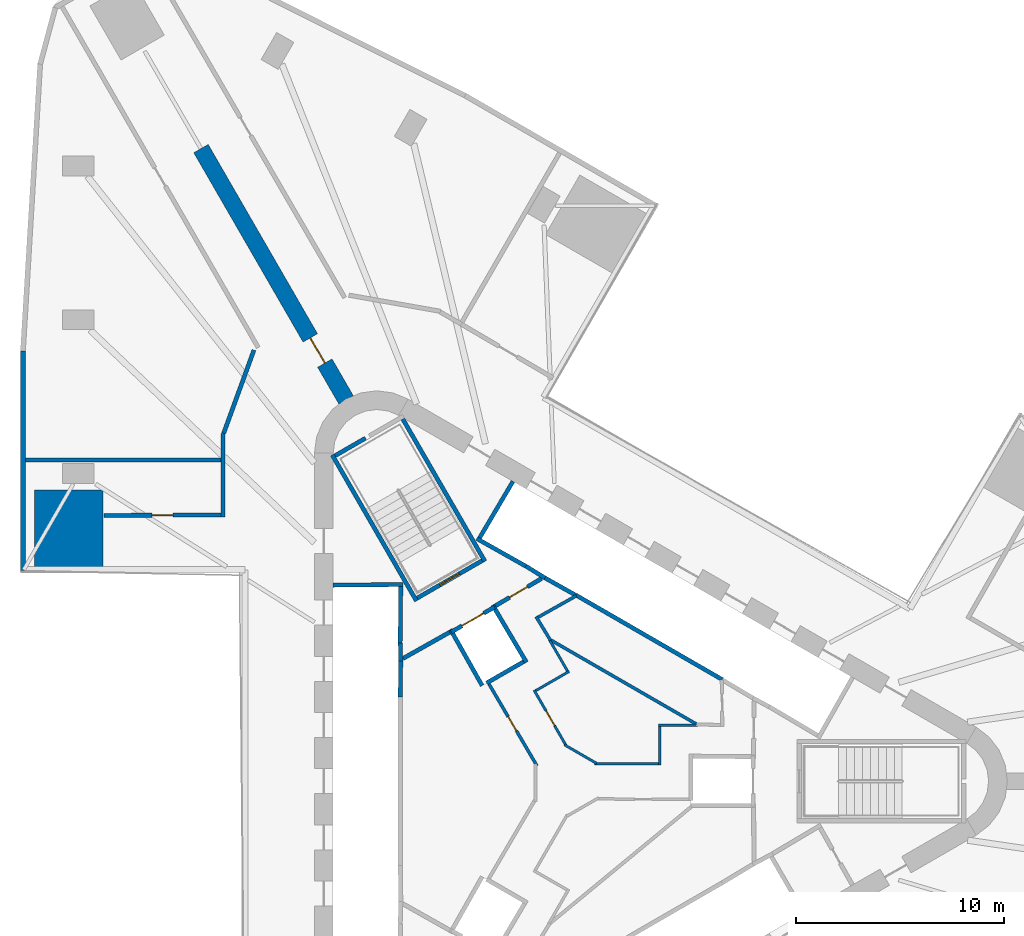
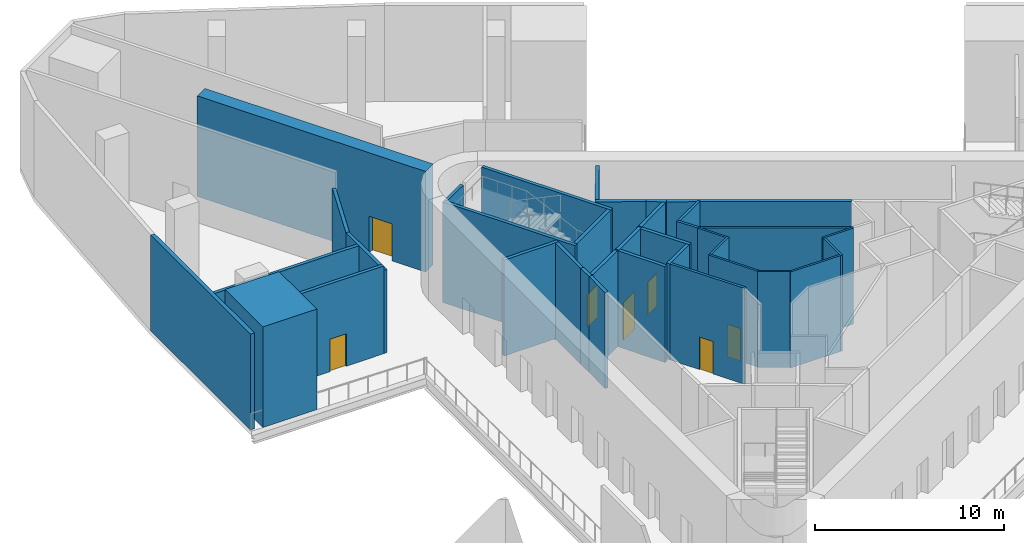
# One storey, part 5 of 11: 37 walls, 7 doors, 7 openings.
"""IFC4 building model written with IfcOpenShell, lengths in metres."""

from ifc_helpers import new_model, si_unit, direction, frame, frame_2d, origin, place, context, subcontext, project, spatial, polyline, rectangle, outline, extrude, material, layer, layer_set, type_object, element, fill, save


model = new_model("IFC4")

# Units and contexts
model_context = context("Model", 3, precision=1e-05, world=origin(), true_north=direction((0.0, 1.0)))
body_context = subcontext(model_context, "Body", "Model", "MODEL_VIEW")
ifc_project = project(units=[si_unit("LENGTHUNIT", "METRE"), si_unit("AREAUNIT", "SQUARE_METRE"), si_unit("VOLUMEUNIT", "CUBIC_METRE"), si_unit("PLANEANGLEUNIT", "RADIAN"), si_unit("MASSUNIT", "GRAM", prefix="KILO")], contexts=[model_context])

# Site, building, storey
site_placement = place(None, origin())
site = spatial("IfcSite", under=ifc_project, at=site_placement, CompositionType="ELEMENT")
building_placement = place(site_placement, origin())
building = spatial("IfcBuilding", under=site, at=building_placement, Name="Tanit Gate Tower", CompositionType="ELEMENT")
storey_placement = place(building_placement, frame((0.0, 0.0, 9.0)))
storey = spatial("IfcBuildingStorey", under=building, at=storey_placement, Name="L01", CompositionType="ELEMENT", Elevation=9.0)

# Wall, opening, door
ifc_material_1 = material(Name="Concrete C60/75", Category="concrete")
ifc_layer_1 = layer(ifc_material_1, 0.800048828125)
ifc_layer_set_1 = layer_set([ifc_layer_1], Name="BUTTRESS FIN 800 C60/75")
wall_type_1 = type_object("IfcWallType", Name="BUTTRESS FIN 800 C60/75", PredefinedType="SHEAR", material=ifc_layer_set_1)
wall_1_placement = place(storey_placement, frame((-10.574951171875, 18.31640625, 0.0), z_axis=(0.0, 0.0, 1.0), x_axis=(-0.499996575515, 0.866027380903, 0.0)))
wall_1 = element("IfcWall", 1, at=wall_1_placement, inside=storey, type_object=wall_type_1, Name="BUTTRESS FIN", PredefinedType="SHEAR", context=body_context, shape_type="SweptSolid", body=[
    extrude(rectangle(XDim=13.9541015625, YDim=0.800048828125, at=frame_2d((6.97705078125, 0.0))), origin(), (0.0, 0.0, 1.0), 6.5),
])
opening_1_placement = place(wall_1_placement, frame((2.050048828125, 0.0, 0.0)))
opening_1 = element("IfcOpeningElement", 2, at=opening_1_placement, cuts=wall_1, Name="Opening P14-01-F-NW-1", PredefinedType="OPENING", context=body_context, shape_type="SweptSolid", body=[
    extrude(rectangle(XDim=1.39990234375, YDim=2.39990234375, at=frame_2d((0.699951171875, 1.199951171875))), frame((0.0, 0.41015625, 0.0), z_axis=(0.0, -1.0, 0.0), x_axis=(1.0, 0.0, 0.0)), (0.0, 0.0, 1.0), 0.820068359375),
])
ifc_material_2 = material(Name="Timber door leaf", Category="wood")
door_type_1 = type_object("IfcDoorType", Name="INT-DOOR-FIN-PAIR-1400", OperationType="NOTDEFINED", PredefinedType="NOTDEFINED", material=ifc_material_2)
door_1_placement = place(opening_1_placement, origin())
door_1 = element("IfcDoor", 3, at=door_1_placement, inside=storey, type_object=door_type_1, Name="Door P14-01-F-NW-1", OperationType="DOUBLE_DOOR_SINGLE_SWING", OverallHeight=2.39990234375, OverallWidth=1.39990234375, PredefinedType="NOTDEFINED", context=body_context, shape_type="SweptSolid", body=[
    extrude(rectangle(XDim=1.39990234375, YDim=2.39990234375, at=frame_2d((0.699951171875, 1.199951171875))), frame((0.0, 0.02490234375, 0.0), z_axis=(0.0, -1.0, 0.0), x_axis=(1.0, 0.0, 0.0)), (0.0, 0.0, 1.0), 0.050048828125),
])
fill(opening_1, door_1)

# Walls
ifc_material_3 = material(Name="Concrete C30/37 with bronze anodised aluminium cladding", Category="concrete")
ifc_layer_2 = layer(ifc_material_3, 0.239990234375)
ifc_layer_set_2 = layer_set([ifc_layer_2], Name="Facade wall bronze clad 240")
wall_type_2 = type_object("IfcWallType", Name="Facade wall bronze clad 240", PredefinedType="SOLIDWALL", material=ifc_layer_set_2)
wall_2_placement = place(storey_placement, frame((-26.10986328125, 20.685302734375, 0.0), z_axis=(0.0, 0.0, 1.0), x_axis=(6.9319284e-05, -0.999999997597, 0.0)))
element("IfcWall", 4, at=wall_2_placement, inside=storey, type_object=wall_type_2, Name="Bronze-clad facade wall L01 W2a", PredefinedType="SOLIDWALL", context=body_context, shape_type="SweptSolid", body=[
    extrude(rectangle(XDim=10.56591796875, YDim=0.239990234375, at=frame_2d((5.282958984375, 0.0))), origin(), (0.0, 0.0, 1.0), 6.199951171875),
])
ifc_material_4 = material(Name="Fire-rated gypsum board partition")
ifc_layer_3 = layer(ifc_material_4, 0.199951171875)
ifc_layer_set_3 = layer_set([ifc_layer_3], Name="INT-WALL-COMPARTMENT")
wall_type_3 = type_object("IfcWallType", Name="INT-WALL-COMPARTMENT", PredefinedType="PARTITIONING", material=ifc_layer_set_3)
wall_3_placement = place(storey_placement, frame((-5.600341796875, 7.16015625, 0.0), z_axis=(0.0, 0.0, 1.0), x_axis=(-0.871340486379, -0.490678873396, 0.0)))
element("IfcWall", 5, at=wall_3_placement, inside=storey, type_object=wall_type_3, Name="Wall Compartment W064", PredefinedType="PARTITIONING", context=body_context, shape_type="SweptSolid", body=[
    extrude(rectangle(XDim=2.580810546875, YDim=0.199951171875, at=frame_2d((1.29052734375, 0.0))), origin(), (0.0, 0.0, 1.0), 6.199951171875),
])

# Wall, opening, door
wall_4_placement = place(storey_placement, frame((-1.179443359375, 9.74462890625, 0.0), z_axis=(0.0, 0.0, 1.0), x_axis=(-0.860598681535, -0.509283721849, 0.0)))
wall_4 = element("IfcWall", 6, at=wall_4_placement, inside=storey, type_object=wall_type_3, Name="Wall Compartment W065", PredefinedType="PARTITIONING", context=body_context, shape_type="SweptSolid", body=[
    extrude(rectangle(XDim=2.5810546875, YDim=0.199951171875, at=frame_2d((1.29052734375, 0.0))), origin(), (0.0, 0.0, 1.0), 6.199951171875),
])
opening_2_placement = place(wall_4_placement, frame((0.79052734375, 0.0, 0.0)))
opening_2 = element("IfcOpeningElement", 7, at=opening_2_placement, cuts=wall_4, Name="Opening F10-01-05", PredefinedType="OPENING", context=body_context, shape_type="SweptSolid", body=[
    extrude(rectangle(XDim=1.0, YDim=2.10009765625, at=frame_2d((0.5, 1.050048828125))), frame((0.0, 0.10986328125, 0.0), z_axis=(0.0, -1.0, 0.0), x_axis=(1.0, 0.0, 0.0)), (0.0, 0.0, 1.0), 0.219970703125),
])
ifc_material_5 = material(Name="Fire-rated steel door leaf", Category="steel")
door_type_2 = type_object("IfcDoorType", Name="INT-DOOR-FIRE-1000", OperationType="NOTDEFINED", PredefinedType="USERDEFINED", material=ifc_material_5)
door_2_placement = place(opening_2_placement, origin())
door_2 = element("IfcDoor", 8, at=door_2_placement, inside=storey, type_object=door_type_2, Name="Door F10-01-05", ObjectType="FIRE DOOR", OperationType="SINGLE_SWING_RIGHT", OverallHeight=2.10009765625, OverallWidth=1.0, PredefinedType="USERDEFINED", context=body_context, shape_type="SweptSolid", body=[
    extrude(rectangle(XDim=1.0, YDim=2.10009765625, at=frame_2d((0.5, 1.050048828125))), frame((0.0, 0.02490234375, 0.0), z_axis=(0.0, -1.0, 0.0), x_axis=(1.0, 0.0, 0.0)), (0.0, 0.0, 1.0), 0.050048828125),
])
fill(opening_2, door_2)

# Walls
wall_5_placement = place(storey_placement, frame((-16.5, 16.716796875, 0.0), z_axis=(0.0, 0.0, 1.0), x_axis=(-0.000303914404, -0.999999953818, 0.0)))
element("IfcWall", 9, at=wall_5_placement, inside=storey, type_object=wall_type_3, Name="Wall Compartment W091", PredefinedType="PARTITIONING", context=body_context, shape_type="SweptSolid", body=[
    extrude(rectangle(XDim=4.0166015625, YDim=0.199951171875, at=frame_2d((2.00830078125, 0.0))), origin(), (0.0, 0.0, 1.0), 5.3798828125),
])
wall_6_placement = place(storey_placement, frame((-15.007080078125, 20.71826171875, 0.0), z_axis=(0.0, 0.0, 1.0), x_axis=(-0.342060209064, -0.939678037083, 0.0)))
element("IfcWall", 10, at=wall_6_placement, inside=storey, type_object=wall_type_3, Name="Wall Compartment W092", PredefinedType="PARTITIONING", context=body_context, shape_type="SweptSolid", body=[
    extrude(rectangle(XDim=4.2646484375, YDim=0.199951171875, at=frame_2d((2.13232421875, 0.0))), origin(), (0.0, 0.0, 1.0), 5.280029296875),
])

# Wall, opening, door
wall_7_placement = place(storey_placement, frame((-16.601318359375, 12.799560546875, 0.0), z_axis=(0.0, 0.0, 1.0), x_axis=(-0.999986096706, -0.005273176924, 0.0)))
wall_7 = element("IfcWall", 11, at=wall_7_placement, inside=storey, type_object=wall_type_3, Name="Wall Compartment W094", PredefinedType="PARTITIONING", context=body_context, shape_type="SweptSolid", body=[
    extrude(rectangle(XDim=5.60205078125, YDim=0.199951171875, at=frame_2d((2.801025390625, 0.0))), origin(), (0.0, 0.0, 1.0), 5.669921875),
])
opening_3_placement = place(wall_7_placement, frame((2.298583984375, 0.0, 0.0)))
opening_3 = element("IfcOpeningElement", 12, at=opening_3_placement, cuts=wall_7, Name="Opening F10-01-17", PredefinedType="OPENING", context=body_context, shape_type="SweptSolid", body=[
    extrude(rectangle(XDim=1.0, YDim=2.10009765625, at=frame_2d((0.5, 1.050048828125))), frame((0.0, 0.10986328125, 0.0), z_axis=(0.0, -1.0, 0.0), x_axis=(1.0, 0.0, 0.0)), (0.0, 0.0, 1.0), 0.219970703125),
])
door_3_placement = place(opening_3_placement, origin())
door_3 = element("IfcDoor", 13, at=door_3_placement, inside=storey, type_object=door_type_2, Name="Door F10-01-17", ObjectType="FIRE DOOR", OperationType="SINGLE_SWING_RIGHT", OverallHeight=2.10009765625, OverallWidth=1.0, PredefinedType="USERDEFINED", context=body_context, shape_type="SweptSolid", body=[
    extrude(rectangle(XDim=1.0, YDim=2.10009765625, at=frame_2d((0.5, 1.050048828125))), frame((0.0, 0.02490234375, 0.0), z_axis=(0.0, -1.0, 0.0), x_axis=(1.0, 0.0, 0.0)), (0.0, 0.0, 1.0), 0.050048828125),
])
fill(opening_3, door_3)

# Walls
wall_8_placement = place(storey_placement, frame((-25.984375, 15.432373046875, 0.0), z_axis=(0.0, 0.0, 1.0), x_axis=(0.999999996954, 7.8047765e-05, 0.0)))
element("IfcWall", 14, at=wall_8_placement, inside=storey, type_object=wall_type_3, Name="Wall Compartment W102", PredefinedType="PARTITIONING", context=body_context, shape_type="SweptSolid", body=[
    extrude(rectangle(XDim=9.38427734375, YDim=0.199951171875, at=frame_2d((4.692138671875, 0.0))), origin(), (0.0, 0.0, 1.0), 5.3798828125),
])
ifc_material_6 = material(Name="Gypsum board partition")
ifc_layer_4 = layer(ifc_material_6, 0.1201171875)
ifc_layer_set_4 = layer_set([ifc_layer_4], Name="INT-WALL-PARTITION")
wall_type_4 = type_object("IfcWallType", Name="INT-WALL-PARTITION", PredefinedType="PARTITIONING", material=ifc_layer_set_4)
wall_9_placement = place(storey_placement, frame((4.43994140625, 2.699951171875, 0.0), z_axis=(0.0, 0.0, 1.0), x_axis=(1.0, 0.0, 0.0)))
element("IfcWall", 15, at=wall_9_placement, inside=storey, type_object=wall_type_4, Name="Wall Partition W084", PredefinedType="PARTITIONING", context=body_context, shape_type="SweptSolid", body=[
    extrude(rectangle(XDim=1.8603515625, YDim=0.1201171875, at=frame_2d((0.93017578125, 0.0))), origin(), (0.0, 0.0, 1.0), 6.199951171875),
])
wall_10_placement = place(storey_placement, frame((4.5, 0.7900390625, 0.0), z_axis=(0.0, 0.0, 1.0), x_axis=(0.0, 1.0, 0.0)))
element("IfcWall", 16, at=wall_10_placement, inside=storey, type_object=wall_type_4, Name="Wall Partition W085", PredefinedType="PARTITIONING", context=body_context, shape_type="SweptSolid", body=[
    extrude(rectangle(XDim=1.849853515625, YDim=0.1201171875, at=frame_2d((0.9248046875, 0.0))), origin(), (0.0, 0.0, 1.0), 6.199951171875),
])
wall_11_placement = place(storey_placement, frame((1.368408203125, 0.85009765625, 0.0), z_axis=(0.0, 0.0, 1.0), x_axis=(1.0, 0.0, 0.0)))
element("IfcWall", 17, at=wall_11_placement, inside=storey, type_object=wall_type_4, Name="Wall Partition W086", PredefinedType="PARTITIONING", context=body_context, shape_type="SweptSolid", body=[
    extrude(rectangle(XDim=3.071533203125, YDim=0.1201171875, at=frame_2d((1.53564453125, 0.0))), origin(), (0.0, 0.0, 1.0), 6.199951171875),
])
wall_12_placement = place(storey_placement, frame((-0.090087890625, 1.751953125, 0.0), z_axis=(0.0, 0.0, 1.0), x_axis=(0.866046676307, -0.4999631531, 0.0)))
element("IfcWall", 18, at=wall_12_placement, inside=storey, type_object=wall_type_4, Name="Wall Partition W087", PredefinedType="PARTITIONING", context=body_context, shape_type="SweptSolid", body=[
    extrude(rectangle(XDim=1.785400390625, YDim=0.1201171875, at=frame_2d((0.892578125, 0.0))), origin(), (0.0, 0.0, 1.0), 6.199951171875),
])

# Wall, opening, door
wall_13_placement = place(storey_placement, frame((-1.5439453125, 4.3740234375, 0.0), z_axis=(0.0, 0.0, 1.0), x_axis=(0.500023124857, -0.86601205223, 0.0)))
wall_13 = element("IfcWall", 19, at=wall_13_placement, inside=storey, type_object=wall_type_4, Name="Wall Partition W088", PredefinedType="PARTITIONING", context=body_context, shape_type="SweptSolid", body=[
    extrude(rectangle(XDim=3.069091796875, YDim=0.1201171875, at=frame_2d((1.53466796875, 0.0))), origin(), (0.0, 0.0, 1.0), 6.199951171875),
])
opening_4_placement = place(wall_13_placement, frame((1.16455078125, 0.0, 0.0)))
opening_4 = element("IfcOpeningElement", 20, at=opening_4_placement, cuts=wall_13, Name="Opening R08-01-14", PredefinedType="OPENING", context=body_context, shape_type="SweptSolid", body=[
    extrude(rectangle(XDim=0.800048828125, YDim=2.10009765625, at=frame_2d((0.39990234375, 1.050048828125))), frame((0.0, 0.070068359375, 0.0), z_axis=(0.0, -1.0, 0.0), x_axis=(1.0, 0.0, 0.0)), (0.0, 0.0, 1.0), 0.14013671875),
])
ifc_material_7 = material(Name="Timber door leaf", Category="wood")
door_type_3 = type_object("IfcDoorType", Name="INT-DOOR-RISER-800", OperationType="NOTDEFINED", PredefinedType="USERDEFINED", material=ifc_material_7)
door_4_placement = place(opening_4_placement, origin())
door_4 = element("IfcDoor", 21, at=door_4_placement, inside=storey, type_object=door_type_3, Name="Door R08-01-14", ObjectType="FIRE DOOR", OperationType="SINGLE_SWING_RIGHT", OverallHeight=2.10009765625, OverallWidth=0.800048828125, PredefinedType="USERDEFINED", context=body_context, shape_type="SweptSolid", body=[
    extrude(rectangle(XDim=0.800048828125, YDim=2.10009765625, at=frame_2d((0.39990234375, 1.050048828125))), frame((0.0, 0.02490234375, 0.0), z_axis=(0.0, -1.0, 0.0), x_axis=(1.0, 0.0, 0.0)), (0.0, 0.0, 1.0), 0.050048828125),
])
fill(opening_4, door_4)

# Walls
wall_14_placement = place(storey_placement, frame((0.14013671875, 5.277099609375, 0.0), z_axis=(0.0, 0.0, 1.0), x_axis=(-0.866000971088, -0.500042316284, 0.0)))
element("IfcWall", 22, at=wall_14_placement, inside=storey, type_object=wall_type_4, Name="Wall Partition W089", PredefinedType="PARTITIONING", context=body_context, shape_type="SweptSolid", body=[
    extrude(rectangle(XDim=1.849853515625, YDim=0.1201171875, at=frame_2d((0.9248046875, 0.0))), origin(), (0.0, 0.0, 1.0), 6.199951171875),
])
wall_15_placement = place(storey_placement, frame((-0.81201171875, 6.806396484375, 0.0), z_axis=(0.0, 0.0, 1.0), x_axis=(0.500046227757, -0.865998712531, 0.0)))
element("IfcWall", 23, at=wall_15_placement, inside=storey, type_object=wall_type_4, Name="Wall Partition W090", PredefinedType="PARTITIONING", context=body_context, shape_type="SweptSolid", body=[
    extrude(rectangle(XDim=1.740478515625, YDim=0.1201171875, at=frame_2d((0.8701171875, 0.0))), origin(), (0.0, 0.0, 1.0), 6.199951171875),
])

# Wall, opening, door
ifc_material_8 = material(Name="Fire-rated gypsum board partition")
ifc_layer_5 = layer(ifc_material_8, 0.14990234375)
ifc_layer_set_5 = layer_set([ifc_layer_5], Name="INT-WALL-RISER")
wall_type_5 = type_object("IfcWallType", Name="INT-WALL-RISER", PredefinedType="PLUMBINGWALL", material=ifc_layer_set_5)
wall_16_placement = place(storey_placement, frame((-1.407470703125, 0.739501953125, 0.0), z_axis=(0.0, 0.0, 1.0), x_axis=(-0.505642484845, 0.862743112125, 0.0)))
wall_16 = element("IfcWall", 24, at=wall_16_placement, inside=storey, type_object=wall_type_5, Name="Wall Riser W068", PredefinedType="PLUMBINGWALL", context=body_context, shape_type="SweptSolid", body=[
    extrude(rectangle(XDim=4.555908203125, YDim=0.14990234375, at=frame_2d((2.27783203125, 0.0))), origin(), (0.0, 0.0, 1.0), 6.199951171875),
])
opening_5_placement = place(wall_16_placement, frame((1.94189453125, 0.0, 0.0)))
opening_5 = element("IfcOpeningElement", 25, at=opening_5_placement, cuts=wall_16, Name="Opening R08-01-10", PredefinedType="OPENING", context=body_context, shape_type="SweptSolid", body=[
    extrude(rectangle(XDim=0.800048828125, YDim=2.10009765625, at=frame_2d((0.39990234375, 1.050048828125))), frame((0.0, 0.0849609375, 0.0), z_axis=(0.0, -1.0, 0.0), x_axis=(1.0, 0.0, 0.0)), (0.0, 0.0, 1.0), 0.169921875),
])
door_5_placement = place(opening_5_placement, origin())
door_5 = element("IfcDoor", 26, at=door_5_placement, inside=storey, type_object=door_type_3, Name="Door R08-01-10", ObjectType="FIRE DOOR", OperationType="SINGLE_SWING_LEFT", OverallHeight=2.10009765625, OverallWidth=0.800048828125, PredefinedType="USERDEFINED", context=body_context, shape_type="SweptSolid", body=[
    extrude(rectangle(XDim=0.800048828125, YDim=2.10009765625, at=frame_2d((0.39990234375, 1.050048828125))), frame((0.0, 0.02490234375, 0.0), z_axis=(0.0, -1.0, 0.0), x_axis=(1.0, 0.0, 0.0)), (0.0, 0.0, 1.0), 0.050048828125),
])
fill(opening_5, door_5)

# Walls
wall_17_placement = place(storey_placement, frame((-0.826904296875, 6.832275390625, 0.0), z_axis=(0.0, 0.0, 1.0), x_axis=(0.866020293397, -0.500008851346, 0.0)))
element("IfcWall", 27, at=wall_17_placement, inside=storey, type_object=wall_type_5, Name="Wall Riser W079", PredefinedType="PLUMBINGWALL", context=body_context, shape_type="SweptSolid", body=[
    extrude(rectangle(XDim=8.264404296875, YDim=0.14990234375, at=frame_2d((4.13232421875, 0.0))), origin(), (0.0, 0.0, 1.0), 6.199951171875),
])
wall_18_placement = place(storey_placement, frame((-1.45068359375, 7.9091796875, 0.0), z_axis=(0.0, 0.0, 1.0), x_axis=(0.520332410011, -0.853963806664, 0.0)))
element("IfcWall", 28, at=wall_18_placement, inside=storey, type_object=wall_type_5, Name="Wall Riser W080", PredefinedType="PLUMBINGWALL", context=body_context, shape_type="SweptSolid", body=[
    extrude(rectangle(XDim=1.325927734375, YDim=0.14990234375, at=frame_2d((0.6630859375, 0.0))), origin(), (0.0, 0.0, 1.0), 6.199951171875),
])
wall_19_placement = place(storey_placement, frame((0.475341796875, 8.9052734375, 0.0), z_axis=(0.0, 0.0, 1.0), x_axis=(-0.871843752163, -0.489784107353, 0.0)))
element("IfcWall", 29, at=wall_19_placement, inside=storey, type_object=wall_type_5, Name="Wall Riser W081", PredefinedType="PLUMBINGWALL", context=body_context, shape_type="SweptSolid", body=[
    extrude(rectangle(XDim=2.089599609375, YDim=0.14990234375, at=frame_2d((1.044921875, 0.0))), origin(), (0.0, 0.0, 1.0), 6.199951171875),
])
ifc_material_9 = material(Name="Gypsum shaft wall system")
ifc_layer_6 = layer(ifc_material_9, 0.199951171875)
ifc_layer_set_6 = layer_set([ifc_layer_6], Name="INT-WALL-SHAFT")
wall_type_6 = type_object("IfcWallType", Name="INT-WALL-SHAFT", PredefinedType="PLUMBINGWALL", material=ifc_layer_set_6)
wall_20_placement = place(storey_placement, frame((-11.199951171875, 9.419921875, 0.0), z_axis=(0.0, 0.0, 1.0), x_axis=(0.999957167047, 0.009255488683, 0.0)))
element("IfcWall", 30, at=wall_20_placement, inside=storey, type_object=wall_type_6, Name="Wall Shaft W001", PredefinedType="PLUMBINGWALL", context=body_context, shape_type="SweptSolid", body=[
    extrude(rectangle(XDim=3.35009765625, YDim=0.199951171875, at=frame_2d((1.675048828125, 0.0))), origin(), (0.0, 0.0, 1.0), 6.199951171875),
])
wall_21_placement = place(storey_placement, frame((-7.951171875, 9.35009765625, 0.0), z_axis=(0.0, 0.0, 1.0), x_axis=(-0.011120469654, -0.999938165666, 0.0)))
element("IfcWall", 31, at=wall_21_placement, inside=storey, type_object=wall_type_6, Name="Wall Shaft W002", PredefinedType="PLUMBINGWALL", context=body_context, shape_type="SweptSolid", body=[
    extrude(rectangle(XDim=2.700439453125, YDim=0.199951171875, at=frame_2d((1.35009765625, 0.0))), origin(), (0.0, 0.0, 1.0), 6.199951171875),
])
wall_22_placement = place(storey_placement, frame((7.497314453125, 4.885986328125, 0.0), z_axis=(0.0, 0.0, 1.0), x_axis=(-0.866030989016, 0.499990325971, 0.0)))
element("IfcWall", 32, at=wall_22_placement, inside=storey, type_object=wall_type_6, Name="Wall Shaft W003", PredefinedType="PLUMBINGWALL", context=body_context, shape_type="SweptSolid", body=[
    extrude(rectangle(XDim=8.099853515625, YDim=0.199951171875, at=frame_2d((4.0498046875, 0.0))), origin(), (0.0, 0.0, 1.0), 6.199951171875),
])
wall_23_placement = place(storey_placement, frame((-7.97705078125, 6.650146484375, 0.0), z_axis=(0.0, 0.0, 1.0), x_axis=(0.030861509705, -0.999523670164, 0.0)))
element("IfcWall", 33, at=wall_23_placement, inside=storey, type_object=wall_type_6, Name="Wall Shaft W004", PredefinedType="PLUMBINGWALL", context=body_context, shape_type="SweptSolid", body=[
    extrude(rectangle(XDim=0.878173828125, YDim=0.199951171875, at=frame_2d((0.43896484375, 0.0))), origin(), (0.0, 0.0, 1.0), 6.199951171875),
])
wall_24_placement = place(storey_placement, frame((-7.948974609375, 5.894287109375, 0.0), z_axis=(0.0, 0.0, 1.0), x_axis=(-0.016809909365, -0.999858703491, 0.0)))
element("IfcWall", 34, at=wall_24_placement, inside=storey, type_object=wall_type_6, Name="Wall Shaft W005", PredefinedType="PLUMBINGWALL", context=body_context, shape_type="SweptSolid", body=[
    extrude(rectangle(XDim=1.844482421875, YDim=0.199951171875, at=frame_2d((0.92236328125, 0.0))), origin(), (0.0, 0.0, 1.0), 6.199951171875),
])
wall_25_placement = place(storey_placement, frame((-1.940673828125, 10.338623046875, 0.0), z_axis=(0.0, 0.0, 1.0), x_axis=(0.850216889117, -0.526432561171, 0.0)))
element("IfcWall", 35, at=wall_25_placement, inside=storey, type_object=wall_type_6, Name="Wall Shaft W019", PredefinedType="PLUMBINGWALL", context=body_context, shape_type="SweptSolid", body=[
    extrude(rectangle(XDim=1.078369140625, YDim=0.199951171875, at=frame_2d((0.5390625, 0.0))), origin(), (0.0, 0.0, 1.0), 6.199951171875),
])
wall_26_placement = place(storey_placement, frame((0.478271484375, 8.928466796875, 0.0), z_axis=(0.0, 0.0, 1.0), x_axis=(-0.871988740738, 0.489525929882, 0.0)))
element("IfcWall", 36, at=wall_26_placement, inside=storey, type_object=wall_type_6, Name="Wall Shaft W020", PredefinedType="PLUMBINGWALL", context=body_context, shape_type="SweptSolid", body=[
    extrude(rectangle(XDim=1.8447265625, YDim=0.199951171875, at=frame_2d((0.92236328125, 0.0))), origin(), (0.0, 0.0, 1.0), 6.199951171875),
])
wall_27_placement = place(storey_placement, frame((-4.296142578125, 11.658935546875, 0.0), z_axis=(0.0, 0.0, 1.0), x_axis=(0.871534483978, -0.490334215854, 0.0)))
element("IfcWall", 37, at=wall_27_placement, inside=storey, type_object=wall_type_6, Name="Wall Shaft W021", PredefinedType="PLUMBINGWALL", context=body_context, shape_type="SweptSolid", body=[
    extrude(rectangle(XDim=2.7001953125, YDim=0.199951171875, at=frame_2d((1.35009765625, 0.0))), origin(), (0.0, 0.0, 1.0), 6.199951171875),
])
wall_28_placement = place(storey_placement, frame((-4.158203125, 11.696044921875, 0.0), z_axis=(0.0, 0.0, 1.0), x_axis=(0.508018930956, 0.861345903683, 0.0)))
element("IfcWall", 38, at=wall_28_placement, inside=storey, type_object=wall_type_6, Name="Wall Shaft W022", PredefinedType="PLUMBINGWALL", context=body_context, shape_type="SweptSolid", body=[
    extrude(rectangle(XDim=3.150146484375, YDim=0.199951171875, at=frame_2d((1.5751953125, 0.0))), origin(), (0.0, 0.0, 1.0), 6.199951171875),
])

# Wall, opening, door
wall_29_placement = place(storey_placement, frame((-5.524169921875, 7.168212890625, 0.0), z_axis=(0.0, 0.0, 1.0), x_axis=(0.866024647952, 0.500001309137, 0.0)))
wall_29 = element("IfcWall", 39, at=wall_29_placement, inside=storey, type_object=wall_type_6, Name="Wall Shaft W047", PredefinedType="PLUMBINGWALL", context=body_context, shape_type="SweptSolid", body=[
    extrude(rectangle(XDim=2.39990234375, YDim=0.199951171875, at=frame_2d((1.199951171875, 0.0))), origin(), (0.0, 0.0, 1.0), 6.199951171875),
])
opening_6_placement = place(wall_29_placement, frame((0.60009765625, 0.0, 0.0)))
opening_6 = element("IfcOpeningElement", 40, at=opening_6_placement, cuts=wall_29, Name="Opening LDFL2-L01", PredefinedType="OPENING", context=body_context, shape_type="SweptSolid", body=[
    extrude(rectangle(XDim=1.199951171875, YDim=2.39990234375, at=frame_2d((0.60009765625, 1.199951171875))), frame((0.0, 0.10986328125, 0.0), z_axis=(0.0, -1.0, 0.0), x_axis=(1.0, 0.0, 0.0)), (0.0, 0.0, 1.0), 0.219970703125),
])
ifc_material_10 = material(Name="Stainless steel sliding door leaf", Category="steel")
door_type_4 = type_object("IfcDoorType", Name="INT-DOOR-LANDING-1200", OperationType="NOTDEFINED", PredefinedType="USERDEFINED", material=ifc_material_10)
door_6_placement = place(opening_6_placement, origin())
door_6 = element("IfcDoor", 41, at=door_6_placement, inside=storey, type_object=door_type_4, Name="Door LDFL2-L01", ObjectType="LANDING DOOR", OperationType="SLIDING_TO_LEFT", OverallHeight=2.39990234375, OverallWidth=1.199951171875, PredefinedType="USERDEFINED", context=body_context, shape_type="SweptSolid", body=[
    extrude(rectangle(XDim=1.199951171875, YDim=2.39990234375, at=frame_2d((0.60009765625, 1.199951171875))), frame((0.0, 0.02490234375, 0.0), z_axis=(0.0, -1.0, 0.0), x_axis=(1.0, 0.0, 0.0)), (0.0, 0.0, 1.0), 0.050048828125),
])
fill(opening_6, door_6)

# Walls
wall_30_placement = place(storey_placement, frame((-4.039306640625, 4.59619140625, 0.0), z_axis=(0.0, 0.0, 1.0), x_axis=(-0.491322718731, 0.870977603649, 0.0)))
element("IfcWall", 42, at=wall_30_placement, inside=storey, type_object=wall_type_6, Name="Wall Shaft W048", PredefinedType="PLUMBINGWALL", context=body_context, shape_type="SweptSolid", body=[
    extrude(rectangle(XDim=3.10009765625, YDim=0.199951171875, at=frame_2d((1.550048828125, 0.0))), origin(), (0.0, 0.0, 1.0), 6.199951171875),
])
wall_31_placement = place(storey_placement, frame((-3.53759765625, 8.46533203125, 0.0), z_axis=(0.0, 0.0, 1.0), x_axis=(0.508616218331, -0.860993346345, 0.0)))
element("IfcWall", 43, at=wall_31_placement, inside=storey, type_object=wall_type_6, Name="Wall Shaft W049", PredefinedType="PLUMBINGWALL", context=body_context, shape_type="SweptSolid", body=[
    extrude(rectangle(XDim=3.2001953125, YDim=0.199951171875, at=frame_2d((1.60009765625, 0.0))), origin(), (0.0, 0.0, 1.0), 6.199951171875),
])
wall_32_placement = place(storey_placement, frame((-2.04736328125, 5.74609375, 0.0), z_axis=(0.0, 0.0, 1.0), x_axis=(-0.86606290101, -0.499935047276, 0.0)))
element("IfcWall", 44, at=wall_32_placement, inside=storey, type_object=wall_type_6, Name="Wall Shaft W050", PredefinedType="PLUMBINGWALL", context=body_context, shape_type="SweptSolid", body=[
    extrude(rectangle(XDim=2.054443359375, YDim=0.199951171875, at=frame_2d((1.02734375, 0.0))), origin(), (0.0, 0.0, 1.0), 6.199951171875),
])
ifc_material_11 = material(Name="Concrete C40/50", Category="concrete")
ifc_layer_7 = layer(ifc_material_11, 0.199951171875)
ifc_layer_set_7 = layer_set([ifc_layer_7], Name="INT-WALL-STAIR")
wall_type_7 = type_object("IfcWallType", Name="INT-WALL-STAIR", PredefinedType="SHEAR", material=ifc_layer_set_7)
wall_33_placement = place(storey_placement, frame((-11.245361328125, 15.677734375, -0.300048828125), z_axis=(0.0, 0.0, 1.0), x_axis=(0.499977274689, -0.866038523851, 0.0)))
element("IfcWall", 45, at=wall_33_placement, inside=storey, type_object=wall_type_7, Name="Wall Stair W042", PredefinedType="SHEAR", context=body_context, shape_type="SweptSolid", body=[
    extrude(rectangle(XDim=8.10009765625, YDim=0.199951171875, at=frame_2d((4.050048828125, 0.0))), origin(), (0.0, 0.0, 1.0), 6.5),
])
wall_34_placement = place(storey_placement, frame((-9.645263671875, 16.486083984375, -0.300048828125), z_axis=(0.0, 0.0, 1.0), x_axis=(-0.866038843867, -0.499976720371, 0.0)))
element("IfcWall", 46, at=wall_34_placement, inside=storey, type_object=wall_type_7, Name="Wall Stair W043", PredefinedType="SHEAR", context=body_context, shape_type="SweptSolid", body=[
    extrude(rectangle(XDim=1.68994140625, YDim=0.199951171875, at=frame_2d((0.844970703125, 0.0))), origin(), (0.0, 0.0, 1.0), 6.5),
])
wall_35_placement = place(storey_placement, frame((-7.8544921875, 17.404541015625, -0.300048828125), z_axis=(0.0, 0.0, 1.0), x_axis=(0.499997992926, -0.866026562566, 0.0)))
element("IfcWall", 47, at=wall_35_placement, inside=storey, type_object=wall_type_7, Name="Wall Stair W045", PredefinedType="SHEAR", context=body_context, shape_type="SweptSolid", body=[
    extrude(rectangle(XDim=7.89990234375, YDim=0.199951171875, at=frame_2d((3.949951171875, 0.0))), origin(), (0.0, 0.0, 1.0), 6.5),
])

# Wall, opening, door
wall_36_placement = place(storey_placement, frame((-7.158935546875, 8.799560546875, -0.300048828125), z_axis=(0.0, 0.0, 1.0), x_axis=(0.866047807691, 0.499961193289, 0.0)))
wall_36 = element("IfcWall", 48, at=wall_36_placement, inside=storey, type_object=wall_type_7, Name="Wall Stair W046", PredefinedType="SHEAR", context=body_context, shape_type="SweptSolid", body=[
    extrude(rectangle(XDim=3.599853515625, YDim=0.199951171875, at=frame_2d((1.7998046875, 0.0))), origin(), (0.0, 0.0, 1.0), 6.5),
])
opening_7_placement = place(wall_36_placement, frame((1.25, 0.0, 0.300048828125)))
opening_7 = element("IfcOpeningElement", 49, at=opening_7_placement, cuts=wall_36, Name="Opening S11-01-04", PredefinedType="OPENING", context=body_context, shape_type="SweptSolid", body=[
    extrude(rectangle(XDim=1.10009765625, YDim=2.10009765625, at=frame_2d((0.550048828125, 1.050048828125))), frame((0.0, 0.10986328125, 0.0), z_axis=(0.0, -1.0, 0.0), x_axis=(1.0, 0.0, 0.0)), (0.0, 0.0, 1.0), 0.219970703125),
])
ifc_material_12 = material(Name="Timber door leaf", Category="wood")
door_type_5 = type_object("IfcDoorType", Name="INT-DOOR-STAIR-1100", OperationType="NOTDEFINED", PredefinedType="USERDEFINED", material=ifc_material_12)
door_7_placement = place(opening_7_placement, origin())
door_7 = element("IfcDoor", 50, at=door_7_placement, inside=storey, type_object=door_type_5, Name="Door S11-01-04", ObjectType="FIRE DOOR", OperationType="SINGLE_SWING_RIGHT", OverallHeight=2.10009765625, OverallWidth=1.10009765625, PredefinedType="USERDEFINED", context=body_context, shape_type="SweptSolid", body=[
    extrude(rectangle(XDim=1.10009765625, YDim=2.10009765625, at=frame_2d((0.550048828125, 1.050048828125))), frame((0.0, 0.02490234375, 0.0), z_axis=(0.0, -1.0, 0.0), x_axis=(1.0, 0.0, 0.0)), (0.0, 0.0, 1.0), 0.050048828125),
])
fill(opening_7, door_7)

# Wall
ifc_material_13 = material(Name="Concrete C60/75", Category="concrete")
ifc_layer_8 = layer(ifc_material_13, 4.0)
ifc_layer_set_8 = layer_set([ifc_layer_8], Name="PIER WALL 4000 C60/75")
wall_type_8 = type_object("IfcWallType", Name="PIER WALL 4000 C60/75", PredefinedType="SHEAR", material=ifc_layer_set_8)
wall_37_placement = place(storey_placement, origin())
element("IfcWall", 51, at=wall_37_placement, inside=storey, type_object=wall_type_8, Name="PIER WALL", PredefinedType="SHEAR", context=body_context, shape_type="SweptSolid", body=[
    extrude(outline(polyline([(-25.553466796875, 14.0), (-25.553466796875, 10.0), (-22.25341796875, 10.0), (-22.25341796875, 14.0), (-25.553466796875, 14.0)])), origin(), (0.0, 0.0, 1.0), 6.5),
])

save(model, "model.ifc")
